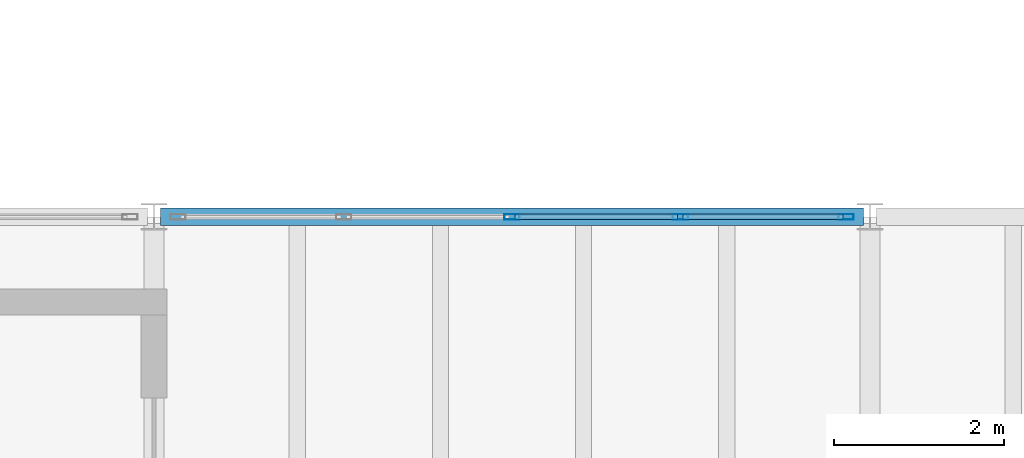
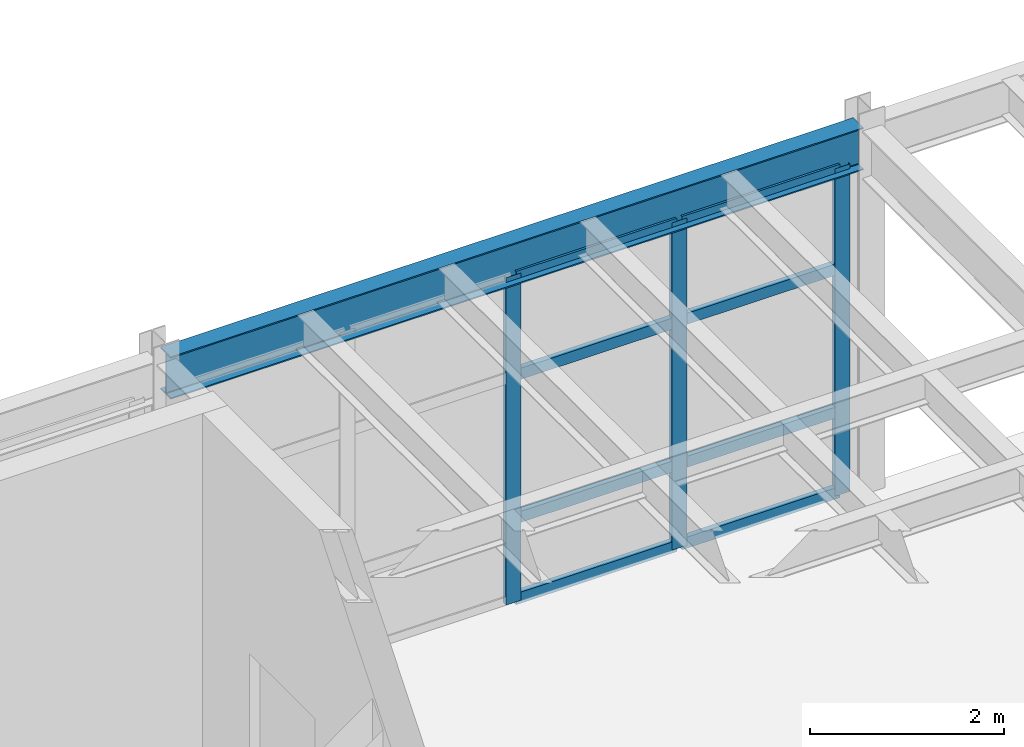
# One storey, part 48 of 116: 11 members, 1 beam, 1 element without a shape of its own.
"""IFC4 building model written with IfcOpenShell, lengths in metres."""

import ifcopenshell
import ifcopenshell.guid

model = None  # the IFC model being written
_history = None  # IfcOwnerHistory: only IFC2X3 demands one
_inside = {}  # id of a spatial element -> (the spatial element, [elements in it])
_under = {}  # id of a project, library or spatial element -> (it, [spatial elements below it])
_declared = {}  # id of a project -> (the project, [libraries it declares])
_typed = {}  # id of a type object -> (the type object, [elements of that type])
_made_of = {}  # id of a material, layer set ... -> (it, [elements and type objects made of it])


def new_model(schema):
    """Start an empty IFC model of exactly this schema.

    Asked for "IFC4X3", IfcOpenShell would pick the latest addendum, in which some entities
    have other attributes; the version numbers below select the first issue.
    IFC2X3 requires an IfcOwnerHistory on every rooted entity: one is made here for all.
    """
    global model, _history
    if schema == "IFC4X3":
        model = ifcopenshell.file(schema_version=(4, 3, 0, 0))
    else:
        model = ifcopenshell.file(schema=schema)
    _inside.clear()
    _under.clear()
    _declared.clear()
    _typed.clear()
    _made_of.clear()
    _history = None
    if model.schema == "IFC2X3":
        org = make("IfcOrganization", Name="unknown")
        user = make(
            "IfcPersonAndOrganization",
            ThePerson=make("IfcPerson", FamilyName="unknown"),
            TheOrganization=org,
        )
        app = make(
            "IfcApplication",
            ApplicationDeveloper=org,
            Version="unknown",
            ApplicationFullName="unknown",
            ApplicationIdentifier="unknown",
        )
        _history = make(
            "IfcOwnerHistory",
            OwningUser=user,
            OwningApplication=app,
            ChangeAction="ADDED",
            CreationDate=0,
        )
    return model


def make(cls, **values):
    """One entity of the class cls with the attributes given. An attribute that is None is left unset."""
    return model.create_entity(
        cls, **{name: value for name, value in values.items() if value is not None}
    )


def rooted(cls, **values):
    """An entity with a GlobalId (a new one), such as an element, a storey or a relation."""
    return make(cls, GlobalId=ifcopenshell.guid.new(), OwnerHistory=_history, **values)


def si_unit(unit_type, name, prefix=None):
    """IfcSIUnit, for example si_unit("LENGTHUNIT", "METRE", prefix="MILLI")."""
    return make("IfcSIUnit", UnitType=unit_type, Prefix=prefix, Name=name)


def assignment(units):
    """IfcUnitAssignment: the units of a project."""
    return None if units is None else make("IfcUnitAssignment", Units=units)


def point(xyz):
    """IfcCartesianPoint."""
    return None if xyz is None else make("IfcCartesianPoint", Coordinates=xyz)


def direction(xyz):
    """IfcDirection."""
    return None if xyz is None else make("IfcDirection", DirectionRatios=xyz)


def frame(location, z_axis=None, x_axis=None):
    """IfcAxis2Placement3D, a coordinate frame: its origin and axes. An axis left out is left unset."""
    return make(
        "IfcAxis2Placement3D",
        Location=point(location),
        Axis=direction(z_axis),
        RefDirection=direction(x_axis),
    )


def frame_2d(location, x_axis=None):
    """IfcAxis2Placement2D, a coordinate frame in the plane: its origin and x axis."""
    return make(
        "IfcAxis2Placement2D", Location=point(location), RefDirection=direction(x_axis)
    )


def origin():
    """The frame at (0, 0, 0) with its axes left unset."""
    return frame((0.0, 0.0, 0.0))


def origin_2d():
    """The frame at (0, 0) in the plane with its x axis left unset."""
    return frame_2d((0.0, 0.0))


def place(relative_to, where):
    """IfcLocalPlacement: puts the frame where relative to a parent placement (None: the world)."""
    return make(
        "IfcLocalPlacement", PlacementRelTo=relative_to, RelativePlacement=where
    )


def context(
    kind, dimensions, precision=None, world=None, true_north=None, identifier=None
):
    """IfcGeometricRepresentationContext, for example the 3D "Model" context."""
    return make(
        "IfcGeometricRepresentationContext",
        ContextIdentifier=identifier,
        ContextType=kind,
        CoordinateSpaceDimension=dimensions,
        Precision=precision,
        WorldCoordinateSystem=world,
        TrueNorth=true_north,
    )


def subcontext(parent, identifier, kind, view, scale=None):
    """IfcGeometricRepresentationSubContext, for example "Body" below "Model"."""
    return make(
        "IfcGeometricRepresentationSubContext",
        ContextIdentifier=identifier,
        ContextType=kind,
        ParentContext=parent,
        TargetScale=scale,
        TargetView=view,
    )


def project(units=None, contexts=None):
    """IfcProject with its units and contexts."""
    return rooted(
        "IfcProject",
        Name="project",
        RepresentationContexts=contexts,
        UnitsInContext=assignment(units),
    )


def spatial(cls, under=None, at=None, **own):
    """A site, building, storey or space (cls), placed at a placement, below another one or the project."""
    s = rooted(cls, ObjectPlacement=at, **own)
    if under is not None:
        _under.setdefault(under.id(), (under, []))[1].append(s)
    return s


def profile(cls, at=None, kind="AREA", **sizes):
    """A parametric profile (cls). Its sizes go by their IFC names, for example OverallWidth=200.0."""
    return make(cls, ProfileType=kind, Position=at, **sizes)


def hollow_rectangle(**sizes):
    """IfcRectangleHollowProfileDef."""
    return profile("IfcRectangleHollowProfileDef", **sizes)


def i_section(**sizes):
    """IfcIShapeProfileDef."""
    return profile("IfcIShapeProfileDef", **sizes)


def extrude(swept, where, along, depth):
    """IfcExtrudedAreaSolid: the profile swept, set in the frame where, extruded along a direction by depth."""
    return make(
        "IfcExtrudedAreaSolid",
        SweptArea=swept,
        Position=where,
        ExtrudedDirection=direction(along),
        Depth=depth,
    )


def shape(context_of_items, identifier, shape_type, items):
    """IfcShapeRepresentation: the items that make up one representation, for example the "Body"."""
    return make(
        "IfcShapeRepresentation",
        ContextOfItems=context_of_items,
        RepresentationIdentifier=identifier,
        RepresentationType=shape_type,
        Items=items,
    )


def material(Name=None, Category=None):
    """IfcMaterial."""
    return make("IfcMaterial", Name=Name, Category=Category)


def layer(
    of_material, thickness, ventilated=None, Name=None, Category=None, Priority=None
):
    """IfcMaterialLayer: one layer of a wall or slab, of a material (None: an air gap)."""
    return make(
        "IfcMaterialLayer",
        Material=of_material,
        LayerThickness=thickness,
        IsVentilated=ventilated,
        Name=Name,
        Category=Category,
        Priority=Priority,
    )


def layer_set(layers, Name=None):
    """IfcMaterialLayerSet."""
    return make("IfcMaterialLayerSet", MaterialLayers=layers, LayerSetName=Name)


def material_profile(
    of_material, cross_section, Name=None, Category=None, Priority=None
):
    """IfcMaterialProfile: a cross section and its material."""
    return make(
        "IfcMaterialProfile",
        Name=Name,
        Material=of_material,
        Profile=cross_section,
        Priority=Priority,
        Category=Category,
    )


def profile_set(profiles, Name=None, composite=None):
    """IfcMaterialProfileSet."""
    return make(
        "IfcMaterialProfileSet",
        Name=Name,
        MaterialProfiles=profiles,
        CompositeProfile=composite,
    )


def made_of(thing, what):
    """Note that an element or type object is made of a material, layer set ...; save() writes the relation."""
    if what is not None:
        _made_of.setdefault(what.id(), (what, []))[1].append(thing)
    return thing


def type_object(cls, material=None, **own):
    """A type object (cls), such as IfcWallType, which elements share."""
    return made_of(rooted(cls, **own), material)


def element(
    cls,
    number,
    at=None,
    inside=None,
    cuts=None,
    type_object=None,
    material=None,
    context=None,
    identifier="Body",
    shape_type=None,
    held_by="IfcProductDefinitionShape",
    body=None,
    shapes=None,
    **own,
):
    """One element of the class cls, such as IfcWall. Its Tag is "e" and its number.

    at: its placement. inside: the storey or other place that contains it. cuts: it is an
    opening in that element (IfcRelVoidsElement). A single representation is given by context,
    identifier, shape_type and body (its items); several are given by shapes. held_by: the class
    of the entity that holds the representations. save() writes the other relations.
    """
    e = rooted(cls, Tag="e%d" % number, ObjectPlacement=at, **own)
    if body is not None:
        shapes = [shape(context, identifier, shape_type, body)]
    if shapes is not None:
        e.Representation = make(held_by, Representations=shapes)
    if inside is not None:
        _inside.setdefault(inside.id(), (inside, []))[1].append(e)
    if cuts is not None:
        rooted(
            "IfcRelVoidsElement", RelatingBuildingElement=cuts, RelatedOpeningElement=e
        )
    if type_object is not None:
        _typed.setdefault(type_object.id(), (type_object, []))[1].append(e)
    return made_of(e, material)


def aggregate(whole, parts):
    """IfcRelAggregates: a whole, such as a stair, and the parts it consists of."""
    return rooted("IfcRelAggregates", RelatingObject=whole, RelatedObjects=parts)


def save(model, path):
    """Write the relations noted so far, then the file.

    IfcRelAggregates (storeys below a building ...), IfcRelContainedInSpatialStructure (elements
    in a storey), IfcRelDefinesByType, IfcRelAssociatesMaterial and IfcRelDeclares: one each for
    every whole, place, type object, material and project.
    """
    for whole, parts in _under.values():
        aggregate(whole, parts)
    for where, things in _inside.values():
        rooted(
            "IfcRelContainedInSpatialStructure",
            RelatedElements=things,
            RelatingStructure=where,
        )
    for kind, things in _typed.values():
        rooted("IfcRelDefinesByType", RelatedObjects=things, RelatingType=kind)
    for what, things in _made_of.values():
        rooted("IfcRelAssociatesMaterial", RelatedObjects=things, RelatingMaterial=what)
    for by, libraries in _declared.values():
        rooted("IfcRelDeclares", RelatingContext=by, RelatedDefinitions=libraries)
    model.write(path)


model = new_model("IFC4")

# Units and contexts
model_context = context("Model", 3, precision=1e-05, world=origin(), true_north=direction((0.0, 1.0)))
body_context = subcontext(model_context, "Body", "Model", "MODEL_VIEW")
ifc_project = project(units=[si_unit("LENGTHUNIT", "METRE"), si_unit("AREAUNIT", "SQUARE_METRE"), si_unit("VOLUMEUNIT", "CUBIC_METRE"), si_unit("PLANEANGLEUNIT", "RADIAN"), si_unit("MASSUNIT", "GRAM", prefix="KILO")], contexts=[model_context])

# Site, building, storey
site_placement = place(None, origin())
site = spatial("IfcSite", under=ifc_project, at=site_placement, CompositionType="ELEMENT")
building_placement = place(site_placement, origin())
building = spatial("IfcBuilding", under=site, at=building_placement, Name="Selat Folded Stagehouse", CompositionType="ELEMENT")
storey_placement = place(building_placement, frame((0.0, 0.0, 5.39990234375)))
storey = spatial("IfcBuildingStorey", under=building, at=storey_placement, Name="L01", CompositionType="ELEMENT", Elevation=5.39990234375)

# Beam
ifc_material_1 = material(Name="Steel S355", Category="steel")
ifc_material_profile_1 = material_profile(ifc_material_1, i_section(OverallWidth=0.209228515625, OverallDepth=0.533203125, WebThickness=0.010009765625, FlangeThickness=0.015625, FilletRadius=0.0126953125, at=origin_2d()), Name="UKB 533x210x92")
ifc_profile_set_1 = profile_set([ifc_material_profile_1], Name="Steel S355")
beam_type = type_object("IfcBeamType", Name="BM-GIRD-533x210x92", PredefinedType="BEAM", material=ifc_profile_set_1)
beam_placement = place(storey_placement, frame((84.076904296875, 17.800048828125, 4.3134765625), z_axis=(1.0, 0.0, 0.0), x_axis=(0.0, 1.0, 0.0)))
element("IfcBeam", 1, at=beam_placement, inside=storey, type_object=beam_type, Name="L01 primary x-girder 0772", PredefinedType="BEAM", context=body_context, shape_type="SweptSolid", body=[
    extrude(i_section(OverallWidth=0.209228515625, OverallDepth=0.533203125, WebThickness=0.010009765625, FlangeThickness=0.015625, FilletRadius=0.0126953125, at=origin_2d()), origin(), (0.0, 0.0, 1.0), 8.24609375),
])

# Curtain wall, members
ifc_material_2 = material(Name="Aluminium 6063-T6", Category="aluminium")
ifc_layer = layer(ifc_material_2, 0.195068359375)
ifc_layer_set = layer_set([ifc_layer], Name="Aluminium 6063-T6")
curtain_wall_type = type_object("IfcCurtainWallType", Name="CW-FYR-COURT", PredefinedType="NOTDEFINED", material=ifc_layer_set)
curtain_wall_placement = place(storey_placement, origin())
curtain_wall = element("IfcCurtainWall", 2, at=curtain_wall_placement, inside=storey, type_object=curtain_wall_type, Name="L01 curtain wall CW-FYR-L01-11", PredefinedType="NOTDEFINED")
ifc_material_profile_2 = material_profile(ifc_material_2, hollow_rectangle(XDim=0.06494140625, YDim=0.179931640625, WallThickness=0.00390625, at=origin_2d()), Name="ALU 180x65x4.0")
ifc_profile_set_2 = profile_set([ifc_material_profile_2], Name="Aluminium 6063-T6")
member_type_1 = type_object("IfcMemberType", Name="CWM-MUL-180x65", PredefinedType="MULLION", material=ifc_profile_set_2)
member_1_placement = place(storey_placement, frame((88.199951171875, 17.800048828125, 0.0), z_axis=(0.0, 0.0, 1.0), x_axis=(0.0, 1.0, 0.0)))
member_1 = element("IfcMember", 3, at=member_1_placement, type_object=member_type_1, Name="CW-05 mullion 3", PredefinedType="MULLION", context=body_context, shape_type="SweptSolid", body=[
    extrude(hollow_rectangle(XDim=0.06494140625, YDim=0.179931640625, WallThickness=0.00390625, at=origin_2d()), origin(), (0.0, 0.0, 1.0), 4.1201171875),
])
member_2_placement = place(storey_placement, frame((90.175048828125, 17.800048828125, 0.0), z_axis=(0.0, 0.0, 1.0), x_axis=(0.0, 1.0, 0.0)))
member_2 = element("IfcMember", 4, at=member_2_placement, type_object=member_type_1, Name="CW-05 mullion 4", PredefinedType="MULLION", context=body_context, shape_type="SweptSolid", body=[
    extrude(hollow_rectangle(XDim=0.06494140625, YDim=0.179931640625, WallThickness=0.00390625, at=origin_2d()), origin(), (0.0, 0.0, 1.0), 4.1201171875),
])
member_3_placement = place(storey_placement, frame((92.117431640625, 17.800048828125, 0.0), z_axis=(0.0, 0.0, 1.0), x_axis=(0.0, 1.0, 0.0)))
member_3 = element("IfcMember", 5, at=member_3_placement, type_object=member_type_1, Name="CW-05 mullion 5", PredefinedType="MULLION", context=body_context, shape_type="SweptSolid", body=[
    extrude(hollow_rectangle(XDim=0.06494140625, YDim=0.179931640625, WallThickness=0.00390625, at=origin_2d()), origin(), (0.0, 0.0, 1.0), 4.1201171875),
])
ifc_material_profile_3 = material_profile(ifc_material_2, hollow_rectangle(XDim=0.06494140625, YDim=0.139892578125, WallThickness=0.00390625, at=origin_2d()), Name="ALU 140x65x4.0")
ifc_profile_set_3 = profile_set([ifc_material_profile_3], Name="Aluminium 6063-T6")
member_type_2 = type_object("IfcMemberType", Name="CWM-TRN-140x65", PredefinedType="USERDEFINED", material=ifc_profile_set_3)
member_4_placement = place(storey_placement, frame((88.232421875, 17.800048828125, 0.03271484375), z_axis=(1.0, 0.0, 0.0), x_axis=(0.0, 1.0, 0.0)))
member_4 = element("IfcMember", 6, at=member_4_placement, type_object=member_type_2, Name="CW-05 transom 3.1", ObjectType="TRANSOM", PredefinedType="USERDEFINED", context=body_context, shape_type="SweptSolid", body=[
    extrude(hollow_rectangle(XDim=0.06494140625, YDim=0.139892578125, WallThickness=0.00390625, at=origin_2d()), origin(), (0.0, 0.0, 1.0), 1.91015625),
])
member_5_placement = place(storey_placement, frame((88.232421875, 17.800048828125, 1.050048828125), z_axis=(1.0, 0.0, 0.0), x_axis=(0.0, 1.0, 0.0)))
member_5 = element("IfcMember", 7, at=member_5_placement, type_object=member_type_2, Name="CW-05 transom 3.2", ObjectType="TRANSOM", PredefinedType="USERDEFINED", context=body_context, shape_type="SweptSolid", body=[
    extrude(hollow_rectangle(XDim=0.06494140625, YDim=0.139892578125, WallThickness=0.00390625, at=origin_2d()), origin(), (0.0, 0.0, 1.0), 1.91015625),
])
member_6_placement = place(storey_placement, frame((88.232421875, 17.800048828125, 2.85009765625), z_axis=(1.0, 0.0, 0.0), x_axis=(0.0, 1.0, 0.0)))
member_6 = element("IfcMember", 8, at=member_6_placement, type_object=member_type_2, Name="CW-05 transom 3.3", ObjectType="TRANSOM", PredefinedType="USERDEFINED", context=body_context, shape_type="SweptSolid", body=[
    extrude(hollow_rectangle(XDim=0.06494140625, YDim=0.139892578125, WallThickness=0.00390625, at=origin_2d()), origin(), (0.0, 0.0, 1.0), 1.91015625),
])
member_7_placement = place(storey_placement, frame((88.232421875, 17.800048828125, 4.087646484375), z_axis=(1.0, 0.0, 0.0), x_axis=(0.0, 1.0, 0.0)))
member_7 = element("IfcMember", 9, at=member_7_placement, type_object=member_type_2, Name="CW-05 transom 3.4", ObjectType="TRANSOM", PredefinedType="USERDEFINED", context=body_context, shape_type="SweptSolid", body=[
    extrude(hollow_rectangle(XDim=0.06494140625, YDim=0.139892578125, WallThickness=0.00390625, at=origin_2d()), origin(), (0.0, 0.0, 1.0), 1.91015625),
])
member_8_placement = place(storey_placement, frame((90.20751953125, 17.800048828125, 0.03271484375), z_axis=(1.0, 0.0, 0.0), x_axis=(0.0, 1.0, 0.0)))
member_8 = element("IfcMember", 10, at=member_8_placement, type_object=member_type_2, Name="CW-05 transom 4.1", ObjectType="TRANSOM", PredefinedType="USERDEFINED", context=body_context, shape_type="SweptSolid", body=[
    extrude(hollow_rectangle(XDim=0.06494140625, YDim=0.139892578125, WallThickness=0.00390625, at=origin_2d()), origin(), (0.0, 0.0, 1.0), 1.87744140625),
])
member_9_placement = place(storey_placement, frame((90.20751953125, 17.800048828125, 1.050048828125), z_axis=(1.0, 0.0, 0.0), x_axis=(0.0, 1.0, 0.0)))
member_9 = element("IfcMember", 11, at=member_9_placement, type_object=member_type_2, Name="CW-05 transom 4.2", ObjectType="TRANSOM", PredefinedType="USERDEFINED", context=body_context, shape_type="SweptSolid", body=[
    extrude(hollow_rectangle(XDim=0.06494140625, YDim=0.139892578125, WallThickness=0.00390625, at=origin_2d()), origin(), (0.0, 0.0, 1.0), 1.87744140625),
])
member_10_placement = place(storey_placement, frame((90.20751953125, 17.800048828125, 2.85009765625), z_axis=(1.0, 0.0, 0.0), x_axis=(0.0, 1.0, 0.0)))
member_10 = element("IfcMember", 12, at=member_10_placement, type_object=member_type_2, Name="CW-05 transom 4.3", ObjectType="TRANSOM", PredefinedType="USERDEFINED", context=body_context, shape_type="SweptSolid", body=[
    extrude(hollow_rectangle(XDim=0.06494140625, YDim=0.139892578125, WallThickness=0.00390625, at=origin_2d()), origin(), (0.0, 0.0, 1.0), 1.87744140625),
])
member_11_placement = place(storey_placement, frame((90.20751953125, 17.800048828125, 4.087646484375), z_axis=(1.0, 0.0, 0.0), x_axis=(0.0, 1.0, 0.0)))
member_11 = element("IfcMember", 13, at=member_11_placement, type_object=member_type_2, Name="CW-05 transom 4.4", ObjectType="TRANSOM", PredefinedType="USERDEFINED", context=body_context, shape_type="SweptSolid", body=[
    extrude(hollow_rectangle(XDim=0.06494140625, YDim=0.139892578125, WallThickness=0.00390625, at=origin_2d()), origin(), (0.0, 0.0, 1.0), 1.87744140625),
])
aggregate(curtain_wall, [member_1, member_2, member_3, member_4, member_5, member_6, member_7, member_8, member_9, member_10, member_11])

save(model, "model.ifc")
